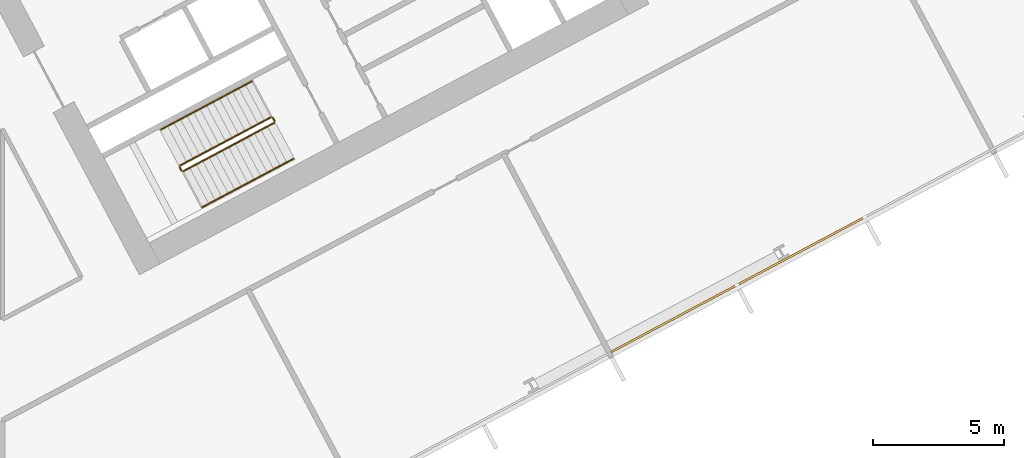
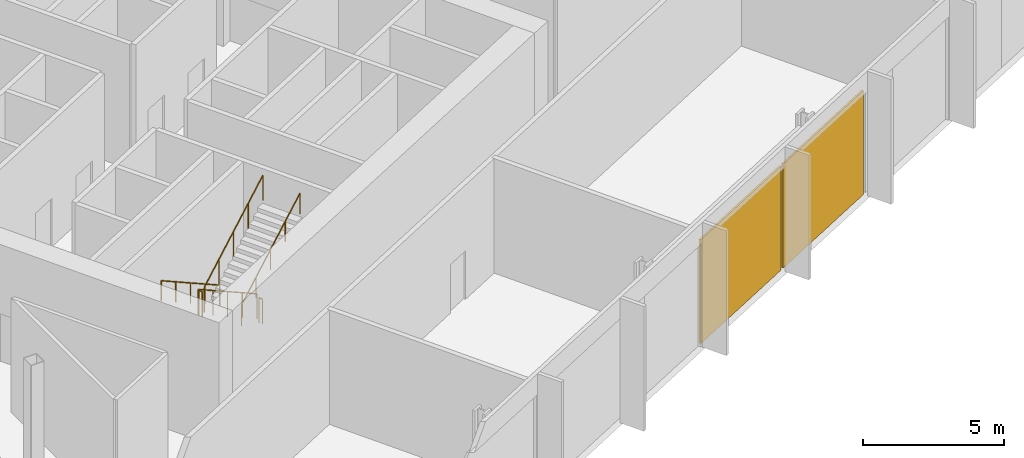
# One storey, part 26 of 31: 6 railings, 2 coverings, 1 element without a shape of its own.
"""IFC4 building model written with IfcOpenShell, lengths in metres."""

from ifc_helpers import new_model, si_unit, direction, frame, origin, origin_2d, place, context, subcontext, project, spatial, polyline, rectangle, outline, extrude, material, layer, layer_set, type_object, element, aggregate, save


model = new_model("IFC4")

# Units and contexts
model_context = context("Model", 3, precision=1e-05, world=origin(), true_north=direction((0.0, 1.0)))
body_context = subcontext(model_context, "Body", "Model", "MODEL_VIEW")
ifc_project = project(units=[si_unit("LENGTHUNIT", "METRE"), si_unit("AREAUNIT", "SQUARE_METRE"), si_unit("VOLUMEUNIT", "CUBIC_METRE"), si_unit("PLANEANGLEUNIT", "RADIAN"), si_unit("MASSUNIT", "GRAM", prefix="KILO")], contexts=[model_context])

# Site, building, storey
site_placement = place(None, origin())
site = spatial("IfcSite", under=ifc_project, at=site_placement, CompositionType="ELEMENT")
building_placement = place(site_placement, origin())
building = spatial("IfcBuilding", under=site, at=building_placement, Name="Cormorant Relay Tower", CompositionType="ELEMENT")
storey_placement = place(building_placement, frame((0.0, 0.0, 50.0)))
storey = spatial("IfcBuildingStorey", under=building, at=storey_placement, Name="L09", CompositionType="ELEMENT", Elevation=50.0)

# Curtain wall, coverings
ifc_material_1 = material(Name="Aluminium 6063-T6 anodised bronze", Category="aluminium")
ifc_layer_1 = layer(ifc_material_1, 0.235107421875)
ifc_layer_set_1 = layer_set([ifc_layer_1], Name="CW6 data hall curtain wall with mineral wool panels")
curtain_wall_type = type_object("IfcCurtainWallType", Name="CW6 data hall curtain wall with mineral wool panels", PredefinedType="NOTDEFINED", material=ifc_layer_set_1)
curtain_wall_placement = place(storey_placement, origin())
curtain_wall = element("IfcCurtainWall", 1, at=curtain_wall_placement, inside=storey, type_object=curtain_wall_type, Name="CW6 curtain wall 2", PredefinedType="NOTDEFINED")
ifc_material_2 = material(Name="Mineral wool cored anodised bronze aluminium cassette panel", Category="aluminium")
ifc_layer_2 = layer(ifc_material_2, 0.074951171875)
ifc_layer_set_2 = layer_set([ifc_layer_2], Name="CW6 mineral wool cassette panel 75")
covering_type = type_object("IfcCoveringType", Name="CW6 mineral wool cassette panel 75", PredefinedType="CLADDING", material=ifc_layer_set_2)
covering_1_placement = place(storey_placement, frame((39.16650390625, -3.001220703125, 0.0), z_axis=(0.0, 0.0, 1.0), x_axis=(0.882947592859, 0.469471562786, 0.0)))
covering_1 = element("IfcCovering", 2, at=covering_1_placement, type_object=covering_type, Name="CW6 panel S07", PredefinedType="CLADDING", context=body_context, shape_type="SweptSolid", body=[
    extrude(rectangle(XDim=5.36181640625, YDim=0.074951171875, at=origin_2d()), origin(), (0.0, 0.0, 1.0), 4.5),
])
covering_2_placement = place(storey_placement, frame((44.033203125, -0.41357421875, 0.0), z_axis=(0.0, 0.0, 1.0), x_axis=(0.882947592859, 0.469471562786, 0.0)))
covering_2 = element("IfcCovering", 3, at=covering_2_placement, type_object=covering_type, Name="CW6 panel S08", PredefinedType="CLADDING", context=body_context, shape_type="SweptSolid", body=[
    extrude(rectangle(XDim=5.36181640625, YDim=0.074951171875, at=origin_2d()), origin(), (0.0, 0.0, 1.0), 4.5),
])
aggregate(curtain_wall, [covering_1, covering_2])

# Railings
ifc_material_3 = material(Name="Steel ASTM A572 Grade 50 (Fy 345 MPa)", Category="steel")
railing_type_1 = type_object("IfcRailingType", Name="Stair guard 1100", PredefinedType="GUARDRAIL", material=ifc_material_3)
railing_1_placement = place(storey_placement, frame((23.83837890625, 4.6904296875, 0.179931640625)))
element("IfcRailing", 4, at=railing_1_placement, inside=storey, type_object=railing_type_1, Name="L09 B1 stair guard 1", PredefinedType="GUARDRAIL", context=body_context, shape_type="SweptSolid", body=[
    extrude(outline(polyline([(0.022216796875, 0.00927734375), (0.00927734375, 0.022216796875), (-0.00927734375, 0.022216796875), (-0.022216796875, 0.00927734375), (-0.022216796875, -0.00927734375), (-0.00927734375, -0.022216796875), (0.00927734375, -0.022216796875), (0.022216796875, -0.00927734375), (0.022216796875, 0.00927734375)])), frame((0.0, 0.0, 1.076171875), z_axis=(-0.74271721126, -0.394907409077, 0.540758062681), x_axis=(0.469469396681, -0.882948744594, 0.0)), (0.0, 0.0, 1.0), 4.66015625),
    extrude(outline(polyline([(0.019287109375, 0.008056640625), (0.008056640625, 0.019287109375), (-0.008056640625, 0.019287109375), (-0.019287109375, 0.008056640625), (-0.019287109375, -0.008056640625), (-0.008056640625, -0.019287109375), (0.008056640625, -0.019287109375), (0.019287109375, -0.008056640625), (0.019287109375, 0.008056640625)])), origin(), (0.0, 0.0, 1.0), 1.052001953125),
    extrude(outline(polyline([(0.019287109375, 0.008056640625), (0.008056640625, 0.019287109375), (-0.008056640625, 0.019287109375), (-0.019287109375, 0.008056640625), (-0.019287109375, -0.008056640625), (-0.008056640625, -0.019287109375), (0.008056640625, -0.019287109375), (0.019287109375, -0.008056640625), (0.019287109375, 0.008056640625)])), frame((-0.865234375, -0.4599609375, 0.6298828125)), (0.0, 0.0, 1.0), 1.052001953125),
    extrude(outline(polyline([(0.019287109375, 0.008056640625), (0.008056640625, 0.019287109375), (-0.008056640625, 0.019287109375), (-0.019287109375, 0.008056640625), (-0.019287109375, -0.008056640625), (-0.008056640625, -0.019287109375), (0.008056640625, -0.019287109375), (0.019287109375, -0.008056640625), (0.019287109375, 0.008056640625)])), frame((-1.73046875, -0.920166015625, 1.260009765625)), (0.0, 0.0, 1.0), 1.052001953125),
    extrude(outline(polyline([(0.019287109375, 0.008056640625), (0.008056640625, 0.019287109375), (-0.008056640625, 0.019287109375), (-0.019287109375, 0.008056640625), (-0.019287109375, -0.008056640625), (-0.008056640625, -0.019287109375), (0.008056640625, -0.019287109375), (0.019287109375, -0.008056640625), (0.019287109375, 0.008056640625)])), frame((-2.595947265625, -1.38037109375, 1.89013671875)), (0.0, 0.0, 1.0), 1.052001953125),
    extrude(outline(polyline([(0.019287109375, 0.008056640625), (0.008056640625, 0.019287109375), (-0.008056640625, 0.019287109375), (-0.019287109375, 0.008056640625), (-0.019287109375, -0.008056640625), (-0.008056640625, -0.019287109375), (0.008056640625, -0.019287109375), (0.019287109375, -0.008056640625), (0.019287109375, 0.008056640625)])), frame((-3.461181640625, -1.84033203125, 2.52001953125)), (0.0, 0.0, 1.0), 1.052001953125),
])
railing_2_placement = place(storey_placement, frame((20.3564453125, 2.782470703125, 2.699951171875)))
element("IfcRailing", 5, at=railing_2_placement, inside=storey, type_object=railing_type_1, Name="L09 B1 stair guard 2", PredefinedType="GUARDRAIL", context=body_context, shape_type="SweptSolid", body=[
    extrude(outline(polyline([(0.022216796875, 0.00927734375), (0.00927734375, 0.022216796875), (-0.00927734375, 0.022216796875), (-0.022216796875, 0.00927734375), (-0.022216796875, -0.00927734375), (-0.00927734375, -0.022216796875), (0.00927734375, -0.022216796875), (0.022216796875, -0.00927734375), (0.022216796875, 0.00927734375)])), frame((0.0, 0.0, 1.076171875), z_axis=(0.470503732759, -0.882398003998, 0.0), x_axis=(0.882398003998, 0.470503732759, 0.0)), (0.0, 0.0, 1.0), 0.14990234375),
    extrude(outline(polyline([(0.019287109375, 0.008056640625), (0.008056640625, 0.019287109375), (-0.008056640625, 0.019287109375), (-0.019287109375, 0.008056640625), (-0.019287109375, -0.008056640625), (-0.008056640625, -0.019287109375), (0.008056640625, -0.019287109375), (0.019287109375, -0.008056640625), (0.019287109375, 0.008056640625)])), origin(), (0.0, 0.0, 1.0), 1.052001953125),
    extrude(outline(polyline([(0.019287109375, 0.008056640625), (0.008056640625, 0.019287109375), (-0.008056640625, 0.019287109375), (-0.019287109375, 0.008056640625), (-0.019287109375, -0.008056640625), (-0.008056640625, -0.019287109375), (0.008056640625, -0.019287109375), (0.019287109375, -0.008056640625), (0.019287109375, 0.008056640625)])), frame((0.070556640625, -0.13232421875, 0.0)), (0.0, 0.0, 1.0), 1.052001953125),
])
railing_3_placement = place(storey_placement, frame((20.49462890625, 2.62939453125, 2.8798828125)))
element("IfcRailing", 6, at=railing_3_placement, inside=storey, type_object=railing_type_1, Name="L09 B1 stair guard 3", PredefinedType="GUARDRAIL", context=body_context, shape_type="SweptSolid", body=[
    extrude(outline(polyline([(0.022216796875, 0.00927734375), (0.00927734375, 0.022216796875), (-0.00927734375, 0.022216796875), (-0.022216796875, 0.00927734375), (-0.022216796875, -0.00927734375), (-0.00927734375, -0.022216796875), (0.00927734375, -0.022216796875), (0.022216796875, -0.00927734375), (0.022216796875, 0.00927734375)])), frame((0.0, 0.0, 1.076171875), z_axis=(0.742693720225, 0.394922775329, 0.540779104131), x_axis=(-0.469495214196, 0.882935016775, 0.0)), (0.0, 0.0, 1.0), 4.659912109375),
    extrude(outline(polyline([(0.019287109375, 0.008056640625), (0.008056640625, 0.019287109375), (-0.008056640625, 0.019287109375), (-0.019287109375, 0.008056640625), (-0.019287109375, -0.008056640625), (-0.008056640625, -0.019287109375), (0.008056640625, -0.019287109375), (0.019287109375, -0.008056640625), (0.019287109375, 0.008056640625)])), origin(), (0.0, 0.0, 1.0), 1.052001953125),
    extrude(outline(polyline([(0.019287109375, 0.008056640625), (0.008056640625, 0.019287109375), (-0.008056640625, 0.019287109375), (-0.019287109375, 0.008056640625), (-0.019287109375, -0.008056640625), (-0.008056640625, -0.019287109375), (0.008056640625, -0.019287109375), (0.019287109375, -0.008056640625), (0.019287109375, 0.008056640625)])), frame((0.865234375, 0.4599609375, 0.6298828125)), (0.0, 0.0, 1.0), 1.052001953125),
    extrude(outline(polyline([(0.019287109375, 0.008056640625), (0.008056640625, 0.019287109375), (-0.008056640625, 0.019287109375), (-0.019287109375, 0.008056640625), (-0.019287109375, -0.008056640625), (-0.008056640625, -0.019287109375), (0.008056640625, -0.019287109375), (0.019287109375, -0.008056640625), (0.019287109375, 0.008056640625)])), frame((1.73046875, 0.920166015625, 1.260009765625)), (0.0, 0.0, 1.0), 1.052001953125),
    extrude(outline(polyline([(0.019287109375, 0.008056640625), (0.008056640625, 0.019287109375), (-0.008056640625, 0.019287109375), (-0.019287109375, 0.008056640625), (-0.019287109375, -0.008056640625), (-0.008056640625, -0.019287109375), (0.008056640625, -0.019287109375), (0.019287109375, -0.008056640625), (0.019287109375, 0.008056640625)])), frame((2.595703125, 1.38037109375, 1.89013671875)), (0.0, 0.0, 1.0), 1.052001953125),
    extrude(outline(polyline([(0.019287109375, 0.008056640625), (0.008056640625, 0.019287109375), (-0.008056640625, 0.019287109375), (-0.019287109375, 0.008056640625), (-0.019287109375, -0.008056640625), (-0.008056640625, -0.019287109375), (0.008056640625, -0.019287109375), (0.019287109375, -0.008056640625), (0.019287109375, 0.008056640625)])), frame((3.4609375, 1.84033203125, 2.52001953125)), (0.0, 0.0, 1.0), 1.052001953125),
])
railing_4_placement = place(storey_placement, frame((23.906005859375, 4.669677734375, 0.0)))
element("IfcRailing", 7, at=railing_4_placement, inside=storey, type_object=railing_type_1, Name="L09 B1 stair guard 4", PredefinedType="GUARDRAIL", context=body_context, shape_type="SweptSolid", body=[
    extrude(outline(polyline([(0.022216796875, 0.00927734375), (0.00927734375, 0.022216796875), (-0.00927734375, 0.022216796875), (-0.022216796875, 0.00927734375), (-0.022216796875, -0.00927734375), (-0.00927734375, -0.022216796875), (0.00927734375, -0.022216796875), (0.022216796875, -0.00927734375), (0.022216796875, 0.00927734375)])), frame((0.0, 0.0, 1.076171875), z_axis=(0.469234640946, -0.883073525669, 0.0), x_axis=(0.883073525669, 0.469234640946, 0.0)), (0.0, 0.0, 1.0), 0.14990234375),
    extrude(outline(polyline([(0.019287109375, 0.008056640625), (0.008056640625, 0.019287109375), (-0.008056640625, 0.019287109375), (-0.019287109375, 0.008056640625), (-0.019287109375, -0.008056640625), (-0.008056640625, -0.019287109375), (0.008056640625, -0.019287109375), (0.019287109375, -0.008056640625), (0.019287109375, 0.008056640625)])), origin(), (0.0, 0.0, 1.0), 1.052001953125),
    extrude(outline(polyline([(0.019287109375, 0.008056640625), (0.008056640625, 0.019287109375), (-0.008056640625, 0.019287109375), (-0.019287109375, 0.008056640625), (-0.019287109375, -0.008056640625), (-0.008056640625, -0.019287109375), (0.008056640625, -0.019287109375), (0.019287109375, -0.008056640625), (0.019287109375, 0.008056640625)])), frame((0.0703125, -0.13232421875, 0.0)), (0.0, 0.0, 1.0), 1.052001953125),
])
ifc_material_4 = material(Name="Steel ASTM A572 Grade 50 (Fy 345 MPa)", Category="steel")
railing_type_2 = type_object("IfcRailingType", Name="Stair handrail 900", PredefinedType="HANDRAIL", material=ifc_material_4)
railing_5_placement = place(storey_placement, frame((23.110595703125, 6.05908203125, 0.179931640625)))
element("IfcRailing", 8, at=railing_5_placement, inside=storey, type_object=railing_type_2, Name="L09 B1 stair handrail 1", PredefinedType="HANDRAIL", context=body_context, shape_type="SweptSolid", body=[
    extrude(outline(polyline([(0.022216796875, 0.00927734375), (0.00927734375, 0.022216796875), (-0.00927734375, 0.022216796875), (-0.022216796875, 0.00927734375), (-0.022216796875, -0.00927734375), (-0.00927734375, -0.022216796875), (0.00927734375, -0.022216796875), (0.022216796875, -0.00927734375), (0.022216796875, 0.00927734375)])), frame((0.0, 0.0, 0.8759765625), z_axis=(-0.74271721126, -0.394907409077, 0.540758062681), x_axis=(0.469469396681, -0.882948744594, 0.0)), (0.0, 0.0, 1.0), 4.66015625),
    extrude(outline(polyline([(0.019287109375, 0.008056640625), (0.008056640625, 0.019287109375), (-0.008056640625, 0.019287109375), (-0.019287109375, 0.008056640625), (-0.019287109375, -0.008056640625), (-0.008056640625, -0.019287109375), (0.008056640625, -0.019287109375), (0.019287109375, -0.008056640625), (0.019287109375, 0.008056640625)])), origin(), (0.0, 0.0, 1.0), 0.851806640625),
    extrude(outline(polyline([(0.019287109375, 0.008056640625), (0.008056640625, 0.019287109375), (-0.008056640625, 0.019287109375), (-0.019287109375, 0.008056640625), (-0.019287109375, -0.008056640625), (-0.008056640625, -0.019287109375), (0.008056640625, -0.019287109375), (0.019287109375, -0.008056640625), (0.019287109375, 0.008056640625)])), frame((-0.865234375, -0.4599609375, 0.6298828125)), (0.0, 0.0, 1.0), 0.851806640625),
    extrude(outline(polyline([(0.019287109375, 0.008056640625), (0.008056640625, 0.019287109375), (-0.008056640625, 0.019287109375), (-0.019287109375, 0.008056640625), (-0.019287109375, -0.008056640625), (-0.008056640625, -0.019287109375), (0.008056640625, -0.019287109375), (0.019287109375, -0.008056640625), (0.019287109375, 0.008056640625)])), frame((-1.73046875, -0.920166015625, 1.260009765625)), (0.0, 0.0, 1.0), 0.851806640625),
    extrude(outline(polyline([(0.019287109375, 0.008056640625), (0.008056640625, 0.019287109375), (-0.008056640625, 0.019287109375), (-0.019287109375, 0.008056640625), (-0.019287109375, -0.008056640625), (-0.008056640625, -0.019287109375), (0.008056640625, -0.019287109375), (0.019287109375, -0.008056640625), (0.019287109375, 0.008056640625)])), frame((-2.595947265625, -1.38037109375, 1.89013671875)), (0.0, 0.0, 1.0), 0.851806640625),
    extrude(outline(polyline([(0.019287109375, 0.008056640625), (0.008056640625, 0.019287109375), (-0.008056640625, 0.019287109375), (-0.019287109375, 0.008056640625), (-0.019287109375, -0.008056640625), (-0.008056640625, -0.019287109375), (0.008056640625, -0.019287109375), (0.019287109375, -0.008056640625), (0.019287109375, 0.008056640625)])), frame((-3.461181640625, -1.84033203125, 2.52001953125)), (0.0, 0.0, 1.0), 0.851806640625),
])
railing_6_placement = place(storey_placement, frame((21.22216796875, 1.2607421875, 2.8798828125)))
element("IfcRailing", 9, at=railing_6_placement, inside=storey, type_object=railing_type_2, Name="L09 B1 stair handrail 2", PredefinedType="HANDRAIL", context=body_context, shape_type="SweptSolid", body=[
    extrude(outline(polyline([(0.022216796875, 0.00927734375), (0.00927734375, 0.022216796875), (-0.00927734375, 0.022216796875), (-0.022216796875, 0.00927734375), (-0.022216796875, -0.00927734375), (-0.00927734375, -0.022216796875), (0.00927734375, -0.022216796875), (0.022216796875, -0.00927734375), (0.022216796875, 0.00927734375)])), frame((0.0, 0.0, 0.8759765625), z_axis=(0.74271721126, 0.394907409077, 0.540758062681), x_axis=(-0.469469396681, 0.882948744594, 0.0)), (0.0, 0.0, 1.0), 4.66015625),
    extrude(outline(polyline([(0.019287109375, 0.008056640625), (0.008056640625, 0.019287109375), (-0.008056640625, 0.019287109375), (-0.019287109375, 0.008056640625), (-0.019287109375, -0.008056640625), (-0.008056640625, -0.019287109375), (0.008056640625, -0.019287109375), (0.019287109375, -0.008056640625), (0.019287109375, 0.008056640625)])), origin(), (0.0, 0.0, 1.0), 0.851806640625),
    extrude(outline(polyline([(0.019287109375, 0.008056640625), (0.008056640625, 0.019287109375), (-0.008056640625, 0.019287109375), (-0.019287109375, 0.008056640625), (-0.019287109375, -0.008056640625), (-0.008056640625, -0.019287109375), (0.008056640625, -0.019287109375), (0.019287109375, -0.008056640625), (0.019287109375, 0.008056640625)])), frame((0.865234375, 0.4599609375, 0.6298828125)), (0.0, 0.0, 1.0), 0.851806640625),
    extrude(outline(polyline([(0.019287109375, 0.008056640625), (0.008056640625, 0.019287109375), (-0.008056640625, 0.019287109375), (-0.019287109375, 0.008056640625), (-0.019287109375, -0.008056640625), (-0.008056640625, -0.019287109375), (0.008056640625, -0.019287109375), (0.019287109375, -0.008056640625), (0.019287109375, 0.008056640625)])), frame((1.73046875, 0.920166015625, 1.260009765625)), (0.0, 0.0, 1.0), 0.851806640625),
    extrude(outline(polyline([(0.019287109375, 0.008056640625), (0.008056640625, 0.019287109375), (-0.008056640625, 0.019287109375), (-0.019287109375, 0.008056640625), (-0.019287109375, -0.008056640625), (-0.008056640625, -0.019287109375), (0.008056640625, -0.019287109375), (0.019287109375, -0.008056640625), (0.019287109375, 0.008056640625)])), frame((2.595947265625, 1.38037109375, 1.89013671875)), (0.0, 0.0, 1.0), 0.851806640625),
    extrude(outline(polyline([(0.019287109375, 0.008056640625), (0.008056640625, 0.019287109375), (-0.008056640625, 0.019287109375), (-0.019287109375, 0.008056640625), (-0.019287109375, -0.008056640625), (-0.008056640625, -0.019287109375), (0.008056640625, -0.019287109375), (0.019287109375, -0.008056640625), (0.019287109375, 0.008056640625)])), frame((3.461181640625, 1.84033203125, 2.52001953125)), (0.0, 0.0, 1.0), 0.851806640625),
])

save(model, "model.ifc")
